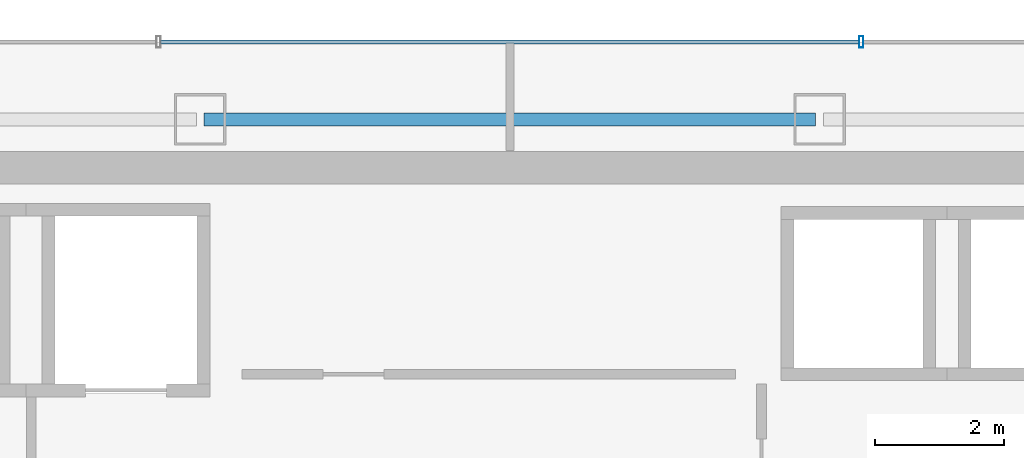
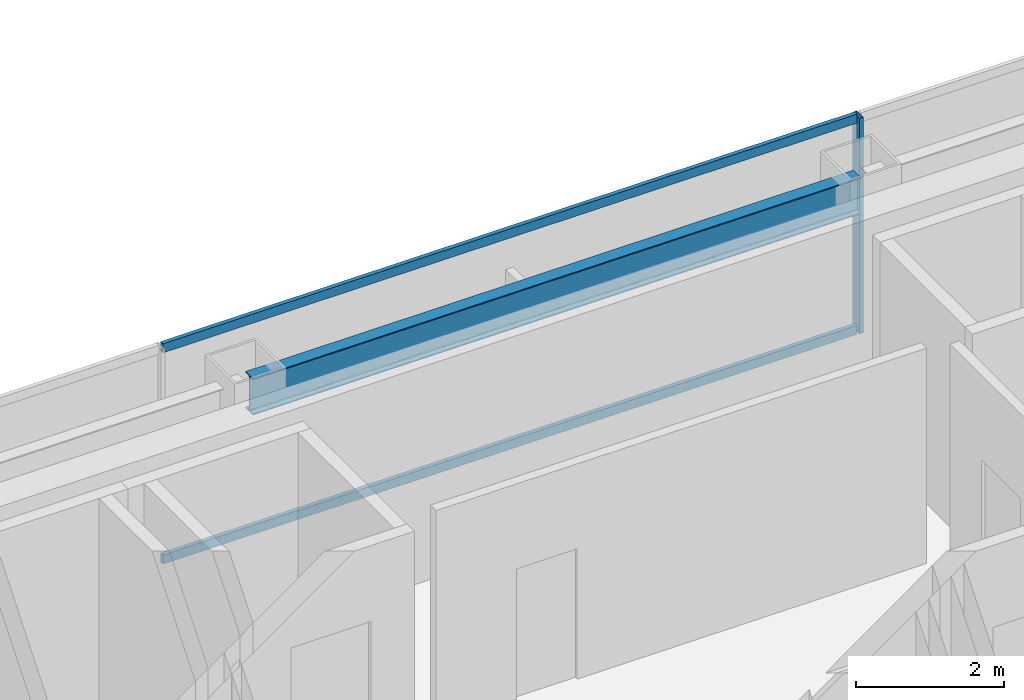
# One storey, part 25 of 35: 3 members, 1 beam, 1 element without a shape of its own.
"""IFC4 building model written with IfcOpenShell, lengths in metres."""

from ifc_helpers import new_model, si_unit, direction, frame, origin, origin_2d, place, context, subcontext, project, spatial, hollow_rectangle, i_section, extrude, material, material_profile, profile_set, type_object, element, aggregate, save


model = new_model("IFC4")

# Units and contexts
model_context = context("Model", 3, precision=1e-05, world=origin(), true_north=direction((0.0, 1.0)))
body_context = subcontext(model_context, "Body", "Model", "MODEL_VIEW")
ifc_project = project(units=[si_unit("LENGTHUNIT", "METRE"), si_unit("AREAUNIT", "SQUARE_METRE"), si_unit("VOLUMEUNIT", "CUBIC_METRE"), si_unit("PLANEANGLEUNIT", "RADIAN"), si_unit("MASSUNIT", "GRAM", prefix="KILO")], contexts=[model_context])

# Site, building, storey
site_placement = place(None, origin())
site = spatial("IfcSite", under=ifc_project, at=site_placement, CompositionType="ELEMENT")
building_placement = place(site_placement, origin())
building = spatial("IfcBuilding", under=site, at=building_placement, Name="Saevonmaru Cultural Tower", CompositionType="ELEMENT")
storey_placement = place(building_placement, frame((0.0, 0.0, 217.0)))
storey = spatial("IfcBuildingStorey", under=building, at=storey_placement, Name="L50", CompositionType="ELEMENT", Elevation=217.0)

# Beam
ifc_material_1 = material(Name="Steel SM355", Category="steel")
ifc_material_profile_1 = material_profile(ifc_material_1, i_section(OverallWidth=0.199951171875, OverallDepth=0.60009765625, WebThickness=0.010986328125, FlangeThickness=0.01708984375, FilletRadius=0.02197265625, at=origin_2d()), Name="H-600x200x11x17")
ifc_profile_set_1 = profile_set([ifc_material_profile_1], Name="Steel SM355")
beam_type = type_object("IfcBeamType", Name="BM-SP-H600", PredefinedType="SPANDREL", material=ifc_profile_set_1)
beam_placement = place(storey_placement, frame((25.260009765625, 54.800048828125, 3.25), z_axis=(1.0, 0.0, 0.0), x_axis=(0.0, 1.0, 0.0)))
element("IfcBeam", 1, at=beam_placement, inside=storey, type_object=beam_type, Name="L50 North Spine Girder 3", PredefinedType="SPANDREL", context=body_context, shape_type="SweptSolid", body=[
    extrude(i_section(OverallWidth=0.199951171875, OverallDepth=0.60009765625, WebThickness=0.010986328125, FlangeThickness=0.01708984375, FilletRadius=0.02197265625, at=origin_2d()), origin(), (0.0, 0.0, 1.0), 9.47998046875),
])

# Curtain wall, members
ifc_material_2 = material(Name="Satin Bronze Anodised Aluminium", Category="aluminium")
curtain_wall_type = type_object("IfcCurtainWallType", Name="CW-TYP-B", PredefinedType="NOTDEFINED", material=ifc_material_2)
curtain_wall_placement = place(storey_placement, origin())
curtain_wall = element("IfcCurtainWall", 2, at=curtain_wall_placement, inside=storey, type_object=curtain_wall_type, Name="L50 North Spine Unitised Curtain Wall E10B", PredefinedType="NOTDEFINED")
ifc_material_profile_2 = material_profile(ifc_material_2, hollow_rectangle(XDim=0.06494140625, YDim=0.179931640625, WallThickness=0.00390625, at=origin_2d()), Name="ALU-MULL-180x65x4")
ifc_profile_set_2 = profile_set([ifc_material_profile_2], Name="Satin Bronze Anodised Aluminium")
member_type_1 = type_object("IfcMemberType", Name="ML-CW-180x65", PredefinedType="MULLION", material=ifc_profile_set_2)
member_1_placement = place(storey_placement, frame((35.44677734375, 56.0, 0.0), z_axis=(0.0, 0.0, 1.0), x_axis=(-1.0, 0.0, 0.0)))
member_1 = element("IfcMember", 3, at=member_1_placement, type_object=member_type_1, Name="CW-TW-L50-E10B mullion 2", PredefinedType="MULLION", context=body_context, shape_type="SweptSolid", body=[
    extrude(hollow_rectangle(XDim=0.06494140625, YDim=0.179931640625, WallThickness=0.00390625, at=origin_2d()), origin(), (0.0, 0.0, 1.0), 3.550048828125),
])
ifc_material_profile_3 = material_profile(ifc_material_2, hollow_rectangle(XDim=0.06494140625, YDim=0.14990234375, WallThickness=0.00390625, at=origin_2d()), Name="ALU-TRAN-150x65x4")
ifc_profile_set_3 = profile_set([ifc_material_profile_3], Name="Satin Bronze Anodised Aluminium")
member_type_2 = type_object("IfcMemberType", Name="TR-CW-150x65", PredefinedType="USERDEFINED", material=ifc_profile_set_3)
member_2_placement = place(storey_placement, frame((35.4140625, 56.0, 0.032470703125), z_axis=(-1.0, 0.0, 0.0), x_axis=(0.0, -1.0, 0.0)))
member_2 = element("IfcMember", 4, at=member_2_placement, type_object=member_type_2, Name="CW-TW-L50-E10B transom 2.1", ObjectType="TRANSOM", PredefinedType="USERDEFINED", context=body_context, shape_type="SweptSolid", body=[
    extrude(hollow_rectangle(XDim=0.06494140625, YDim=0.14990234375, WallThickness=0.00390625, at=origin_2d()), origin(), (0.0, 0.0, 1.0), 10.828125),
])
member_3_placement = place(storey_placement, frame((35.4140625, 56.0, 3.517578125), z_axis=(-1.0, 0.0, 0.0), x_axis=(0.0, -1.0, 0.0)))
member_3 = element("IfcMember", 5, at=member_3_placement, type_object=member_type_2, Name="CW-TW-L50-E10B transom 2.2", ObjectType="TRANSOM", PredefinedType="USERDEFINED", context=body_context, shape_type="SweptSolid", body=[
    extrude(hollow_rectangle(XDim=0.06494140625, YDim=0.14990234375, WallThickness=0.00390625, at=origin_2d()), origin(), (0.0, 0.0, 1.0), 10.828125),
])
aggregate(curtain_wall, [member_1, member_2, member_3])

save(model, "model.ifc")
